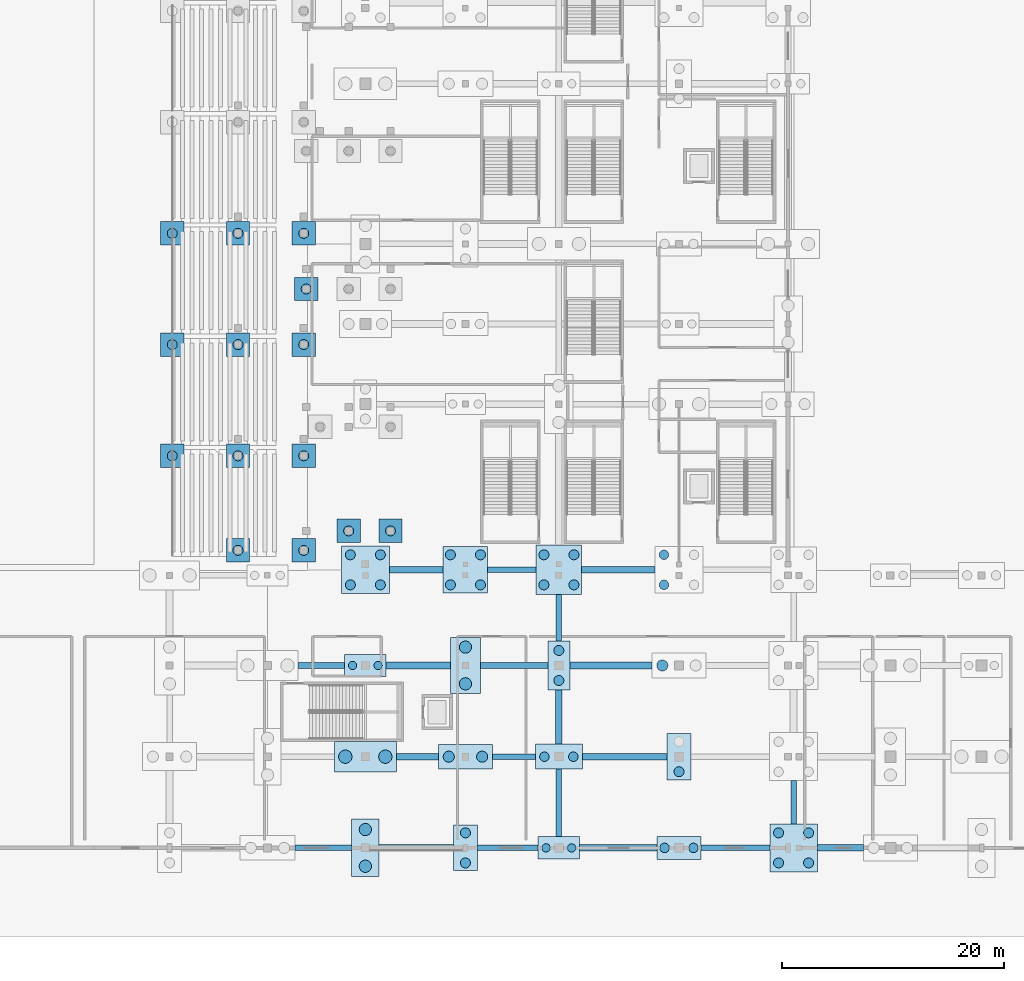
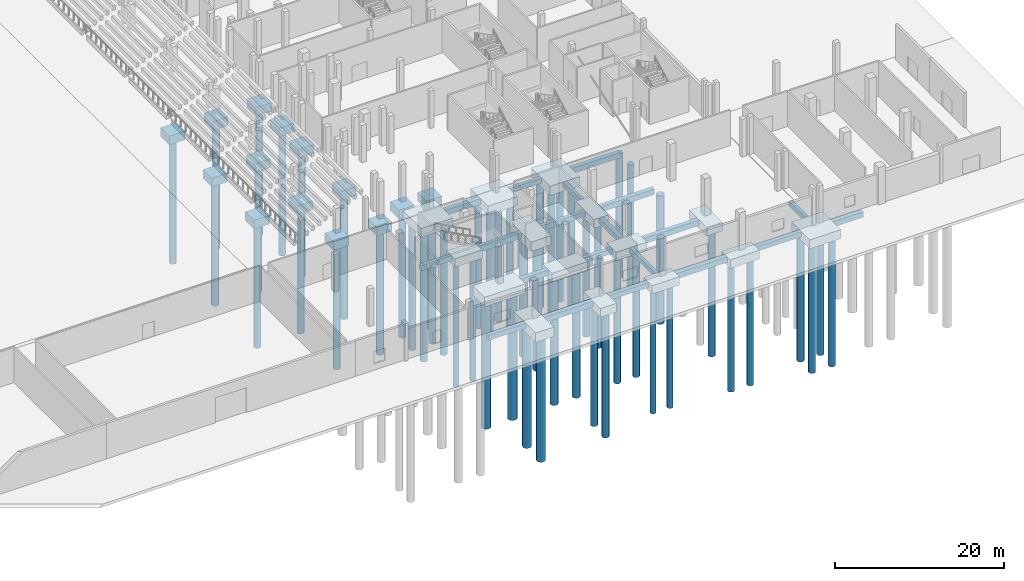
# One storey, part 7 of 89: 54 piles, 49 footings.
"""IFC4 building model written with IfcOpenShell, lengths in metres."""

from ifc_helpers import new_model, si_unit, direction, frame, origin, origin_2d, place, context, subcontext, project, spatial, rectangle, circle, extrude, material, material_profile, profile_set, type_object, element, save


model = new_model("IFC4")

# Units and contexts
model_context = context("Model", 3, precision=1e-05, world=origin(), true_north=direction((0.0, 1.0)))
body_context = subcontext(model_context, "Body", "Model", "MODEL_VIEW")
ifc_project = project(units=[si_unit("LENGTHUNIT", "METRE"), si_unit("AREAUNIT", "SQUARE_METRE"), si_unit("VOLUMEUNIT", "CUBIC_METRE"), si_unit("PLANEANGLEUNIT", "RADIAN"), si_unit("MASSUNIT", "GRAM", prefix="KILO")], contexts=[model_context])

# Site, building, storey
site_placement = place(None, origin())
site = spatial("IfcSite", under=ifc_project, at=site_placement, CompositionType="ELEMENT")
building_placement = place(site_placement, origin())
building = spatial("IfcBuilding", under=site, at=building_placement, Name="Koshinbarg Plaza Stadium", CompositionType="ELEMENT")
storey_placement = place(building_placement, origin())
storey = spatial("IfcBuildingStorey", under=building, at=storey_placement, Name="L00", CompositionType="ELEMENT", Elevation=0.0)

# Footings
ifc_material = material(Name="Concrete C35/45", Category="concrete")
ifc_material_profile_1 = material_profile(ifc_material, rectangle(XDim=0.5, YDim=0.699951171875, at=origin_2d()), Name="GB 500x700")
ifc_profile_set_1 = profile_set([ifc_material_profile_1], Name="Concrete C35/45")
footing_type_1 = type_object("IfcFootingType", Name="FT-GB-01", PredefinedType="FOOTING_BEAM", material=ifc_profile_set_1)
footing_1_placement = place(storey_placement, frame((174.06005859375, 0.0, -0.75), z_axis=(1.0, 0.0, 0.0), x_axis=(0.0, 1.0, 0.0)))
element("IfcFooting", 1, at=footing_1_placement, inside=storey, type_object=footing_type_1, Name="Ground footing beam GB-X-009", PredefinedType="FOOTING_BEAM", context=body_context, shape_type="SweptSolid", body=[
    extrude(rectangle(XDim=0.5, YDim=0.699951171875, at=origin_2d()), origin(), (0.0, 0.0, 1.0), 5.099853515625),
])
footing_2_placement = place(storey_placement, frame((190.47998046875, 0.0, -0.75), z_axis=(1.0, 0.0, 0.0), x_axis=(0.0, 1.0, 0.0)))
element("IfcFooting", 2, at=footing_2_placement, inside=storey, type_object=footing_type_1, Name="Ground footing beam GB-X-011", PredefinedType="FOOTING_BEAM", context=body_context, shape_type="SweptSolid", body=[
    extrude(rectangle(XDim=0.5, YDim=0.699951171875, at=origin_2d()), origin(), (0.0, 0.0, 1.0), 5.449951171875),
])
footing_3_placement = place(storey_placement, frame((210.590087890625, 0.0, -0.75), z_axis=(1.0, 0.0, 0.0), x_axis=(0.0, 1.0, 0.0)))
element("IfcFooting", 3, at=footing_3_placement, inside=storey, type_object=footing_type_1, Name="Ground footing beam GB-X-013", PredefinedType="FOOTING_BEAM", context=body_context, shape_type="SweptSolid", body=[
    extrude(rectangle(XDim=0.5, YDim=0.699951171875, at=origin_2d()), origin(), (0.0, 0.0, 1.0), 6.179931640625),
])
footing_4_placement = place(storey_placement, frame((191.820068359375, 8.199951171875, -0.75), z_axis=(1.0, 0.0, 0.0), x_axis=(0.0, 1.0, 0.0)))
element("IfcFooting", 4, at=footing_4_placement, inside=storey, type_object=footing_type_1, Name="Ground footing beam GB-X-027", PredefinedType="FOOTING_BEAM", context=body_context, shape_type="SweptSolid", body=[
    extrude(rectangle(XDim=0.5, YDim=0.699951171875, at=origin_2d()), origin(), (0.0, 0.0, 1.0), 3.869873046875),
])
footing_5_placement = place(storey_placement, frame((174.340087890625, 16.39990234375, -0.75), z_axis=(1.0, 0.0, 0.0), x_axis=(0.0, 1.0, 0.0)))
element("IfcFooting", 5, at=footing_5_placement, inside=storey, type_object=footing_type_1, Name="Ground footing beam GB-X-041", PredefinedType="FOOTING_BEAM", context=body_context, shape_type="SweptSolid", body=[
    extrude(rectangle(XDim=0.5, YDim=0.699951171875, at=origin_2d()), origin(), (0.0, 0.0, 1.0), 4.18994140625),
])
footing_6_placement = place(storey_placement, frame((190.760009765625, 16.39990234375, -0.75), z_axis=(1.0, 0.0, 0.0), x_axis=(0.0, 1.0, 0.0)))
element("IfcFooting", 6, at=footing_6_placement, inside=storey, type_object=footing_type_1, Name="Ground footing beam GB-X-043", PredefinedType="FOOTING_BEAM", context=body_context, shape_type="SweptSolid", body=[
    extrude(rectangle(XDim=0.5, YDim=0.699951171875, at=origin_2d()), origin(), (0.0, 0.0, 1.0), 6.0400390625),
])
footing_7_placement = place(storey_placement, frame((191.39990234375, 25.0, -0.800048828125), z_axis=(1.0, 0.0, 0.0), x_axis=(0.0, 1.0, 0.0)))
element("IfcFooting", 7, at=footing_7_placement, inside=storey, type_object=footing_type_1, Name="Ground footing beam GB-X-057", PredefinedType="FOOTING_BEAM", context=body_context, shape_type="SweptSolid", body=[
    extrude(rectangle(XDim=0.5, YDim=0.699951171875, at=origin_2d()), origin(), (0.0, 0.0, 1.0), 4.360107421875),
])
footing_8_placement = place(storey_placement, frame((197.800048828125, 1.02001953125, -0.75), z_axis=(0.0, 1.0, 0.0), x_axis=(-1.0, 0.0, 0.0)))
element("IfcFooting", 8, at=footing_8_placement, inside=storey, type_object=footing_type_1, Name="Ground footing beam GB-Y-241", PredefinedType="FOOTING_BEAM", context=body_context, shape_type="SweptSolid", body=[
    extrude(rectangle(XDim=0.5, YDim=0.699951171875, at=origin_2d()), origin(), (0.0, 0.0, 1.0), 6.06005859375),
])
footing_9_placement = place(storey_placement, frame((197.800048828125, 18.610107421875, -0.800048828125), z_axis=(0.0, 1.0, 0.0), x_axis=(-1.0, 0.0, 0.0)))
element("IfcFooting", 9, at=footing_9_placement, inside=storey, type_object=footing_type_1, Name="Ground footing beam GB-Y-243", PredefinedType="FOOTING_BEAM", context=body_context, shape_type="SweptSolid", body=[
    extrude(rectangle(XDim=0.5, YDim=0.699951171875, at=origin_2d()), origin(), (0.0, 0.0, 1.0), 4.179931640625),
])
footing_10_placement = place(storey_placement, frame((218.89990234375, 2.159912109375, -0.75), z_axis=(0.0, 1.0, 0.0), x_axis=(-1.0, 0.0, 0.0)))
element("IfcFooting", 10, at=footing_10_placement, inside=storey, type_object=footing_type_1, Name="Ground footing beam GB-Y-253", PredefinedType="FOOTING_BEAM", context=body_context, shape_type="SweptSolid", body=[
    extrude(rectangle(XDim=0.5, YDim=0.699951171875, at=origin_2d()), origin(), (0.0, 0.0, 1.0), 3.880126953125),
])
ifc_material_profile_2 = material_profile(ifc_material, rectangle(XDim=0.60009765625, YDim=0.800048828125, at=origin_2d()), Name="GB 600x800")
ifc_profile_set_2 = profile_set([ifc_material_profile_2], Name="Concrete C35/45")
footing_type_2 = type_object("IfcFootingType", Name="FT-GB-02", PredefinedType="FOOTING_BEAM", material=ifc_profile_set_2)
footing_11_placement = place(storey_placement, frame((181.639892578125, 0.0, -0.800048828125), z_axis=(1.0, 0.0, 0.0), x_axis=(0.0, 1.0, 0.0)))
element("IfcFooting", 11, at=footing_11_placement, inside=storey, type_object=footing_type_2, Name="Ground footing beam GB-X-010", PredefinedType="FOOTING_BEAM", context=body_context, shape_type="SweptSolid", body=[
    extrude(rectangle(XDim=0.60009765625, YDim=0.800048828125, at=origin_2d()), origin(), (0.0, 0.0, 1.0), 6.68017578125),
])
footing_12_placement = place(storey_placement, frame((199.669921875, 0.0, -0.800048828125), z_axis=(1.0, 0.0, 0.0), x_axis=(0.0, 1.0, 0.0)))
element("IfcFooting", 12, at=footing_12_placement, inside=storey, type_object=footing_type_2, Name="Ground footing beam GB-X-012", PredefinedType="FOOTING_BEAM", context=body_context, shape_type="SweptSolid", body=[
    extrude(rectangle(XDim=0.60009765625, YDim=0.800048828125, at=origin_2d()), origin(), (0.0, 0.0, 1.0), 6.940185546875),
])
footing_13_placement = place(storey_placement, frame((221.030029296875, 0.0, -0.800048828125), z_axis=(1.0, 0.0, 0.0), x_axis=(0.0, 1.0, 0.0)))
element("IfcFooting", 13, at=footing_13_placement, inside=storey, type_object=footing_type_2, Name="Ground footing beam GB-X-014", PredefinedType="FOOTING_BEAM", context=body_context, shape_type="SweptSolid", body=[
    extrude(rectangle(XDim=0.60009765625, YDim=0.800048828125, at=origin_2d()), origin(), (0.0, 0.0, 1.0), 4.14990234375),
])
footing_14_placement = place(storey_placement, frame((183.179931640625, 8.199951171875, -0.800048828125), z_axis=(1.0, 0.0, 0.0), x_axis=(0.0, 1.0, 0.0)))
element("IfcFooting", 14, at=footing_14_placement, inside=storey, type_object=footing_type_2, Name="Ground footing beam GB-X-026", PredefinedType="FOOTING_BEAM", context=body_context, shape_type="SweptSolid", body=[
    extrude(rectangle(XDim=0.60009765625, YDim=0.800048828125, at=origin_2d()), origin(), (0.0, 0.0, 1.0), 3.800048828125),
])
footing_15_placement = place(storey_placement, frame((199.909912109375, 8.199951171875, -0.800048828125), z_axis=(1.0, 0.0, 0.0), x_axis=(0.0, 1.0, 0.0)))
element("IfcFooting", 15, at=footing_15_placement, inside=storey, type_object=footing_type_2, Name="Ground footing beam GB-X-028", PredefinedType="FOOTING_BEAM", context=body_context, shape_type="SweptSolid", body=[
    extrude(rectangle(XDim=0.60009765625, YDim=0.800048828125, at=origin_2d()), origin(), (0.0, 0.0, 1.0), 7.610107421875),
])
footing_16_placement = place(storey_placement, frame((182.27001953125, 16.39990234375, -0.800048828125), z_axis=(1.0, 0.0, 0.0), x_axis=(0.0, 1.0, 0.0)))
element("IfcFooting", 16, at=footing_16_placement, inside=storey, type_object=footing_type_2, Name="Ground footing beam GB-X-042", PredefinedType="FOOTING_BEAM", context=body_context, shape_type="SweptSolid", body=[
    extrude(rectangle(XDim=0.60009765625, YDim=0.800048828125, at=origin_2d()), origin(), (0.0, 0.0, 1.0), 5.77001953125),
])
footing_17_placement = place(storey_placement, frame((198.800048828125, 16.39990234375, -0.800048828125), z_axis=(1.0, 0.0, 0.0), x_axis=(0.0, 1.0, 0.0)))
element("IfcFooting", 17, at=footing_17_placement, inside=storey, type_object=footing_type_2, Name="Ground footing beam GB-X-044", PredefinedType="FOOTING_BEAM", context=body_context, shape_type="SweptSolid", body=[
    extrude(rectangle(XDim=0.60009765625, YDim=0.800048828125, at=origin_2d()), origin(), (0.0, 0.0, 1.0), 7.3798828125),
])
footing_18_placement = place(storey_placement, frame((182.56005859375, 25.0, -0.85009765625), z_axis=(1.0, 0.0, 0.0), x_axis=(0.0, 1.0, 0.0)))
element("IfcFooting", 18, at=footing_18_placement, inside=storey, type_object=footing_type_2, Name="Ground footing beam GB-X-056", PredefinedType="FOOTING_BEAM", context=body_context, shape_type="SweptSolid", body=[
    extrude(rectangle(XDim=0.60009765625, YDim=0.800048828125, at=origin_2d()), origin(), (0.0, 0.0, 1.0), 4.83984375),
])
footing_19_placement = place(storey_placement, frame((199.840087890625, 25.0, -0.85009765625), z_axis=(1.0, 0.0, 0.0), x_axis=(0.0, 1.0, 0.0)))
element("IfcFooting", 19, at=footing_19_placement, inside=storey, type_object=footing_type_2, Name="Ground footing beam GB-X-058", PredefinedType="FOOTING_BEAM", context=body_context, shape_type="SweptSolid", body=[
    extrude(rectangle(XDim=0.60009765625, YDim=0.800048828125, at=origin_2d()), origin(), (0.0, 0.0, 1.0), 6.599853515625),
])
footing_20_placement = place(storey_placement, frame((197.800048828125, 9.320068359375, -0.800048828125), z_axis=(0.0, 1.0, 0.0), x_axis=(-1.0, 0.0, 0.0)))
element("IfcFooting", 20, at=footing_20_placement, inside=storey, type_object=footing_type_2, Name="Ground footing beam GB-Y-242", PredefinedType="FOOTING_BEAM", context=body_context, shape_type="SweptSolid", body=[
    extrude(rectangle(XDim=0.60009765625, YDim=0.800048828125, at=origin_2d()), origin(), (0.0, 0.0, 1.0), 4.869873046875),
])
footing_type_3 = type_object("IfcFootingType", Name="FT-PC-200x442x125", PredefinedType="PILE_CAP", material=ifc_material)
footing_21_placement = place(storey_placement, frame((197.800048828125, 16.39990234375, -1.64990234375), z_axis=(0.0, 0.0, 1.0), x_axis=(1.0, 0.0, 0.0)))
element("IfcFooting", 21, at=footing_21_placement, inside=storey, type_object=footing_type_3, Name="Bored pile cap CAP-171", PredefinedType="PILE_CAP", context=body_context, shape_type="SweptSolid", body=[
    extrude(rectangle(XDim=2.0, YDim=4.419921875, at=origin_2d()), origin(), (0.0, 0.0, 1.0), 1.25),
])
footing_type_4 = type_object("IfcFootingType", Name="FT-PC-210x210x125", PredefinedType="PILE_CAP", material=ifc_material)
for number, where, z_axis, x_axis, name in (
    (22, (168.949951171875, 26.75, -1.699951171875), (0.0, 0.0, 1.0), (1.0, 0.0, 0.0), "Bowl raker pile cap LT-E01-L-M"),
    (23, (174.860107421875, 26.75, -1.699951171875), (0.0, 0.0, 1.0), (1.0, 0.0, 0.0), "Bowl raker pile cap LT-E01-L-B"),
    (24, (163.0400390625, 35.25, -1.699951171875), (0.0, 0.0, 1.0), (1.0, 0.0, 0.0), "Bowl raker pile cap LT-E01-R-F"),
    (25, (168.949951171875, 35.25, -1.699951171875), (0.0, 0.0, 1.0), (1.0, 0.0, 0.0), "Bowl raker pile cap LT-E01-R-M"),
    (26, (174.860107421875, 35.25, -1.699951171875), (0.0, 0.0, 1.0), (1.0, 0.0, 0.0), "Bowl raker pile cap LT-E01-R-B"),
    (27, (163.0400390625, 45.25, -1.699951171875), (0.0, 0.0, 1.0), (1.0, 0.0, 0.0), "Bowl raker pile cap LT-E02-R-F"),
    (28, (168.949951171875, 45.25, -1.699951171875), (0.0, 0.0, 1.0), (1.0, 0.0, 0.0), "Bowl raker pile cap LT-E02-R-M"),
    (29, (174.860107421875, 45.25, -1.699951171875), (0.0, 0.0, 1.0), (1.0, 0.0, 0.0), "Bowl raker pile cap LT-E02-R-B"),
    (30, (163.0400390625, 55.25, -1.699951171875), (0.0, 0.0, 1.0), (1.0, 0.0, 0.0), "Bowl raker pile cap LT-E03-R-F"),
    (31, (168.949951171875, 55.25, -1.699951171875), (0.0, 0.0, 1.0), (1.0, 0.0, 0.0), "Bowl raker pile cap LT-E03-R-M"),
    (32, (174.860107421875, 55.25, -1.699951171875), (0.0, 0.0, 1.0), (1.0, 0.0, 0.0), "Bowl raker pile cap LT-E03-R-B"),
    (33, (178.89990234375, 28.5, -1.699951171875), (0.0, 0.0, 1.0), (1.0, 0.0, 0.0), "Bowl raker pile cap UT-E01-L-CM"),
    (34, (182.659912109375, 28.5, -1.699951171875), (0.0, 0.0, 1.0), (1.0, 0.0, 0.0), "Bowl raker pile cap UT-E01-L-CB"),
    (35, (175.080078125, 50.25, -1.699951171875), (0.0, 0.0, 1.0), (1.0, 0.0, 0.0), "Bowl raker pile cap UT-E02-R-CF"),
):
    element("IfcFooting", number, at=place(storey_placement, frame(where, z_axis=z_axis, x_axis=x_axis)), inside=storey, type_object=footing_type_4, Name=name, PredefinedType="PILE_CAP", context=body_context, shape_type="SweptSolid", body=[
        extrude(rectangle(XDim=2.10009765625, YDim=2.10009765625, at=origin_2d()), origin(), (0.0, 0.0, 1.0), 1.25),
    ])
footing_type_5 = type_object("IfcFootingType", Name="FT-PC-216x410x125", PredefinedType="PILE_CAP", material=ifc_material)
footing_22_placement = place(storey_placement, frame((189.39990234375, 0.0, -1.64990234375), z_axis=(0.0, 0.0, 1.0), x_axis=(1.0, 0.0, 0.0)))
element("IfcFooting", 36, at=footing_22_placement, inside=storey, type_object=footing_type_5, Name="Bored pile cap CAP-153", PredefinedType="PILE_CAP", context=body_context, shape_type="SweptSolid", body=[
    extrude(rectangle(XDim=2.159912109375, YDim=4.10009765625, at=origin_2d()), origin(), (0.0, 0.0, 1.0), 1.25),
])
footing_type_6 = type_object("IfcFootingType", Name="FT-PC-216x418x125", PredefinedType="PILE_CAP", material=ifc_material)
footing_23_placement = place(storey_placement, frame((208.60009765625, 8.199951171875, -1.64990234375), z_axis=(0.0, 0.0, 1.0), x_axis=(1.0, 0.0, 0.0)))
element("IfcFooting", 37, at=footing_23_placement, inside=storey, type_object=footing_type_6, Name="Bored pile cap CAP-183", PredefinedType="PILE_CAP", context=body_context, shape_type="SweptSolid", body=[
    extrude(rectangle(XDim=2.159912109375, YDim=4.179931640625, at=origin_2d()), origin(), (0.0, 0.0, 1.0), 1.25),
])
footing_type_7 = type_object("IfcFootingType", Name="FT-PC-248x516x135", PredefinedType="PILE_CAP", material=ifc_material)
footing_24_placement = place(storey_placement, frame((180.39990234375, 0.0, -1.75), z_axis=(0.0, 0.0, 1.0), x_axis=(1.0, 0.0, 0.0)))
element("IfcFooting", 38, at=footing_24_placement, inside=storey, type_object=footing_type_7, Name="Bored pile cap CAP-137", PredefinedType="PILE_CAP", context=body_context, shape_type="SweptSolid", body=[
    extrude(rectangle(XDim=2.47998046875, YDim=5.159912109375, at=origin_2d()), origin(), (0.0, 0.0, 1.0), 1.35009765625),
])
footing_type_8 = type_object("IfcFootingType", Name="FT-PC-272x500x135", PredefinedType="PILE_CAP", material=ifc_material)
footing_25_placement = place(storey_placement, frame((189.39990234375, 16.39990234375, -1.75), z_axis=(0.0, 0.0, 1.0), x_axis=(1.0, 0.0, 0.0)))
element("IfcFooting", 39, at=footing_25_placement, inside=storey, type_object=footing_type_8, Name="Bored pile cap CAP-155", PredefinedType="PILE_CAP", context=body_context, shape_type="SweptSolid", body=[
    extrude(rectangle(XDim=2.719970703125, YDim=5.0, at=origin_2d()), origin(), (0.0, 0.0, 1.0), 1.35009765625),
])
footing_type_9 = type_object("IfcFootingType", Name="FT-PC-374x196x120", PredefinedType="PILE_CAP", material=ifc_material)
footing_26_placement = place(storey_placement, frame((180.39990234375, 16.39990234375, -1.60009765625), z_axis=(0.0, 0.0, 1.0), x_axis=(1.0, 0.0, 0.0)))
element("IfcFooting", 40, at=footing_26_placement, inside=storey, type_object=footing_type_9, Name="Bored pile cap CAP-139", PredefinedType="PILE_CAP", context=body_context, shape_type="SweptSolid", body=[
    extrude(rectangle(XDim=3.739990234375, YDim=1.9599609375, at=origin_2d()), origin(), (0.0, 0.0, 1.0), 1.199951171875),
])
footing_type_10 = type_object("IfcFootingType", Name="FT-PC-374x204x120", PredefinedType="PILE_CAP", material=ifc_material)
footing_27_placement = place(storey_placement, frame((197.800048828125, 0.0, -1.60009765625), z_axis=(0.0, 0.0, 1.0), x_axis=(1.0, 0.0, 0.0)))
element("IfcFooting", 41, at=footing_27_placement, inside=storey, type_object=footing_type_10, Name="Bored pile cap CAP-169", PredefinedType="PILE_CAP", context=body_context, shape_type="SweptSolid", body=[
    extrude(rectangle(XDim=3.739990234375, YDim=2.0400390625, at=origin_2d()), origin(), (0.0, 0.0, 1.0), 1.199951171875),
])
footing_type_11 = type_object("IfcFootingType", Name="FT-PC-398x208x125", PredefinedType="PILE_CAP", material=ifc_material)
footing_28_placement = place(storey_placement, frame((208.60009765625, 0.0, -1.64990234375), z_axis=(0.0, 0.0, 1.0), x_axis=(1.0, 0.0, 0.0)))
element("IfcFooting", 42, at=footing_28_placement, inside=storey, type_object=footing_type_11, Name="Bored pile cap CAP-182", PredefinedType="PILE_CAP", context=body_context, shape_type="SweptSolid", body=[
    extrude(rectangle(XDim=3.97998046875, YDim=2.080078125, at=origin_2d()), origin(), (0.0, 0.0, 1.0), 1.25),
])
footing_type_12 = type_object("IfcFootingType", Name="FT-PC-400x418x130", PredefinedType="PILE_CAP", material=ifc_material)
footing_29_placement = place(storey_placement, frame((189.39990234375, 25.0, -1.75), z_axis=(0.0, 0.0, 1.0), x_axis=(1.0, 0.0, 0.0)))
element("IfcFooting", 43, at=footing_29_placement, inside=storey, type_object=footing_type_12, Name="Bored pile cap CAP-156", PredefinedType="PILE_CAP", context=body_context, shape_type="SweptSolid", body=[
    extrude(rectangle(XDim=4.0, YDim=4.179931640625, at=origin_2d()), origin(), (0.0, 0.0, 1.0), 1.300048828125),
])
footing_type_13 = type_object("IfcFootingType", Name="FT-PC-408x442x135", PredefinedType="PILE_CAP", material=ifc_material)
footing_30_placement = place(storey_placement, frame((197.800048828125, 25.0, -1.800048828125), z_axis=(0.0, 0.0, 1.0), x_axis=(1.0, 0.0, 0.0)))
element("IfcFooting", 44, at=footing_30_placement, inside=storey, type_object=footing_type_13, Name="Bored pile cap CAP-172", PredefinedType="PILE_CAP", context=body_context, shape_type="SweptSolid", body=[
    extrude(rectangle(XDim=4.080078125, YDim=4.419921875, at=origin_2d()), origin(), (0.0, 0.0, 1.0), 1.35009765625),
])
footing_type_14 = type_object("IfcFootingType", Name="FT-PC-422x224x125", PredefinedType="PILE_CAP", material=ifc_material)
footing_31_placement = place(storey_placement, frame((197.800048828125, 8.199951171875, -1.64990234375), z_axis=(0.0, 0.0, 1.0), x_axis=(1.0, 0.0, 0.0)))
element("IfcFooting", 45, at=footing_31_placement, inside=storey, type_object=footing_type_14, Name="Bored pile cap CAP-170", PredefinedType="PILE_CAP", context=body_context, shape_type="SweptSolid", body=[
    extrude(rectangle(XDim=4.219970703125, YDim=2.239990234375, at=origin_2d()), origin(), (0.0, 0.0, 1.0), 1.25),
])
footing_type_15 = type_object("IfcFootingType", Name="FT-PC-426x432x130", PredefinedType="PILE_CAP", material=ifc_material)
footing_32_placement = place(storey_placement, frame((218.89990234375, 0.0, -1.7001953125), z_axis=(0.0, 0.0, 1.0), x_axis=(1.0, 0.0, 0.0)))
element("IfcFooting", 46, at=footing_32_placement, inside=storey, type_object=footing_type_15, Name="Bored pile cap CAP-198", PredefinedType="PILE_CAP", context=body_context, shape_type="SweptSolid", body=[
    extrude(rectangle(XDim=4.260009765625, YDim=4.320068359375, at=origin_2d()), origin(), (0.0, 0.0, 1.0), 1.300048828125),
])
footing_type_16 = type_object("IfcFootingType", Name="FT-PC-432x426x130", PredefinedType="PILE_CAP", material=ifc_material)
footing_33_placement = place(storey_placement, frame((180.39990234375, 25.0, -1.75), z_axis=(0.0, 0.0, 1.0), x_axis=(1.0, 0.0, 0.0)))
element("IfcFooting", 47, at=footing_33_placement, inside=storey, type_object=footing_type_16, Name="Bored pile cap CAP-140", PredefinedType="PILE_CAP", context=body_context, shape_type="SweptSolid", body=[
    extrude(rectangle(XDim=4.320068359375, YDim=4.260009765625, at=origin_2d()), origin(), (0.0, 0.0, 1.0), 1.300048828125),
])
footing_type_17 = type_object("IfcFootingType", Name="FT-PC-484x220x130", PredefinedType="PILE_CAP", material=ifc_material)
footing_34_placement = place(storey_placement, frame((189.39990234375, 8.199951171875, -1.7001953125), z_axis=(0.0, 0.0, 1.0), x_axis=(1.0, 0.0, 0.0)))
element("IfcFooting", 48, at=footing_34_placement, inside=storey, type_object=footing_type_17, Name="Bored pile cap CAP-154", PredefinedType="PILE_CAP", context=body_context, shape_type="SweptSolid", body=[
    extrude(rectangle(XDim=4.840087890625, YDim=2.199951171875, at=origin_2d()), origin(), (0.0, 0.0, 1.0), 1.300048828125),
])
footing_type_18 = type_object("IfcFootingType", Name="FT-PC-556x276x140", PredefinedType="PILE_CAP", material=ifc_material)
footing_35_placement = place(storey_placement, frame((180.39990234375, 8.199951171875, -1.800048828125), z_axis=(0.0, 0.0, 1.0), x_axis=(1.0, 0.0, 0.0)))
element("IfcFooting", 49, at=footing_35_placement, inside=storey, type_object=footing_type_18, Name="Bored pile cap CAP-138", PredefinedType="PILE_CAP", context=body_context, shape_type="SweptSolid", body=[
    extrude(rectangle(XDim=5.56005859375, YDim=2.760009765625, at=origin_2d()), origin(), (0.0, 0.0, 1.0), 1.39990234375),
])

# Piles
ifc_material_profile_3 = material_profile(ifc_material, circle(Radius=0.5, at=origin_2d()), Name="PILE D1000")
ifc_profile_set_3 = profile_set([ifc_material_profile_3], Name="Concrete C35/45")
pile_type_1 = type_object("IfcPileType", Name="PL-D1000", PredefinedType="BORED", material=ifc_profile_set_3)
for number, where, z_axis, x_axis, name in (
    (50, (187.89990234375, 8.199951171875, -1.60009765625), (0.0, 0.0, -1.0), (1.0, 0.0, 0.0), "Bored pile CAP-154-1"),
    (51, (190.89990234375, 8.199951171875, -1.60009765625), (0.0, 0.0, -1.0), (1.0, 0.0, 0.0), "Bored pile CAP-154-2"),
    (52, (207.10009765625, 16.39990234375, -1.60009765625), (0.0, 0.0, -1.0), (1.0, 0.0, 0.0), "Bored pile CAP-184-1"),
):
    element("IfcPile", number, at=place(storey_placement, frame(where, z_axis=z_axis, x_axis=x_axis)), inside=storey, type_object=pile_type_1, Name=name, PredefinedType="BORED", context=body_context, shape_type="SweptSolid", body=[
        extrude(circle(Radius=0.5, at=origin_2d()), origin(), (0.0, 0.0, 1.0), 18.5),
    ])
ifc_material_profile_4 = material_profile(ifc_material, circle(Radius=0.550048828125, at=origin_2d()), Name="PILE D1100")
ifc_profile_set_4 = profile_set([ifc_material_profile_4], Name="Concrete C35/45")
pile_type_2 = type_object("IfcPileType", Name="PL-D1100", PredefinedType="BORED", material=ifc_profile_set_4)
for number, where, z_axis, x_axis, name in (
    (53, (180.39990234375, -1.64990234375, -1.64990234375), (0.0, 0.0, -1.0), (1.0, 0.0, 0.0), "Bored pile CAP-137-1"),
    (54, (180.39990234375, 1.64990234375, -1.64990234375), (0.0, 0.0, -1.0), (1.0, 0.0, 0.0), "Bored pile CAP-137-2"),
    (55, (189.39990234375, 14.75, -1.64990234375), (0.0, 0.0, -1.0), (1.0, 0.0, 0.0), "Bored pile CAP-155-1"),
    (56, (189.39990234375, 18.050048828125, -1.64990234375), (0.0, 0.0, -1.0), (1.0, 0.0, 0.0), "Bored pile CAP-155-2"),
):
    element("IfcPile", number, at=place(storey_placement, frame(where, z_axis=z_axis, x_axis=x_axis)), inside=storey, type_object=pile_type_2, Name=name, PredefinedType="BORED", context=body_context, shape_type="SweptSolid", body=[
        extrude(circle(Radius=0.550048828125, at=origin_2d()), origin(), (0.0, 0.0, 1.0), 18.0),
    ])
ifc_material_profile_5 = material_profile(ifc_material, circle(Radius=0.60009765625, at=origin_2d()), Name="PILE D1200")
ifc_profile_set_5 = profile_set([ifc_material_profile_5], Name="Concrete C35/45")
pile_type_3 = type_object("IfcPileType", Name="PL-D1200", PredefinedType="BORED", material=ifc_profile_set_5)
for number, where, z_axis, x_axis, name in (
    (57, (178.60009765625, 8.199951171875, -1.699951171875), (0.0, 0.0, -1.0), (1.0, 0.0, 0.0), "Bored pile CAP-138-1"),
    (58, (182.199951171875, 8.199951171875, -1.699951171875), (0.0, 0.0, -1.0), (1.0, 0.0, 0.0), "Bored pile CAP-138-2"),
):
    element("IfcPile", number, at=place(storey_placement, frame(where, z_axis=z_axis, x_axis=x_axis)), inside=storey, type_object=pile_type_3, Name=name, PredefinedType="BORED", context=body_context, shape_type="SweptSolid", body=[
        extrude(circle(Radius=0.60009765625, at=origin_2d()), origin(), (0.0, 0.0, 1.0), 18.5),
    ])
ifc_material_profile_6 = material_profile(ifc_material, circle(Radius=0.375, at=origin_2d()), Name="PILE D750")
ifc_profile_set_6 = profile_set([ifc_material_profile_6], Name="Concrete C35/45")
pile_type_4 = type_object("IfcPileType", Name="PL-D750", PredefinedType="BORED", material=ifc_profile_set_6)
for number, where, z_axis, x_axis, name in (
    (59, (179.25, 16.39990234375, -1.5), (0.0, 0.0, -1.0), (1.0, 0.0, 0.0), "Bored pile CAP-139-1"),
    (60, (181.550048828125, 16.39990234375, -1.5), (0.0, 0.0, -1.0), (1.0, 0.0, 0.0), "Bored pile CAP-139-2"),
    (61, (196.64990234375, 0.0, -1.5), (0.0, 0.0, -1.0), (1.0, 0.0, 0.0), "Bored pile CAP-169-1"),
    (62, (198.949951171875, 0.0, -1.5), (0.0, 0.0, -1.0), (1.0, 0.0, 0.0), "Bored pile CAP-169-2"),
):
    element("IfcPile", number, at=place(storey_placement, frame(where, z_axis=z_axis, x_axis=x_axis)), inside=storey, type_object=pile_type_4, Name=name, PredefinedType="BORED", context=body_context, shape_type="SweptSolid", body=[
        extrude(circle(Radius=0.375, at=origin_2d()), origin(), (0.0, 0.0, 1.0), 18.0),
    ])
ifc_material_profile_7 = material_profile(ifc_material, circle(Radius=0.425048828125, at=origin_2d()), Name="PILE D850")
ifc_profile_set_7 = profile_set([ifc_material_profile_7], Name="Concrete C35/45")
pile_type_5 = type_object("IfcPileType", Name="PL-D850", PredefinedType="BORED", material=ifc_profile_set_7)
for number, where, z_axis, x_axis, name in (
    (63, (196.5, 8.199951171875, -1.550048828125), (0.0, 0.0, -1.0), (1.0, 0.0, 0.0), "Bored pile CAP-170-1"),
    (64, (199.10009765625, 8.199951171875, -1.550048828125), (0.0, 0.0, -1.0), (1.0, 0.0, 0.0), "Bored pile CAP-170-2"),
    (65, (207.300048828125, 0.0, -1.550048828125), (0.0, 0.0, -1.0), (1.0, 0.0, 0.0), "Bored pile CAP-182-1"),
    (66, (209.89990234375, 0.0, -1.550048828125), (0.0, 0.0, -1.0), (1.0, 0.0, 0.0), "Bored pile CAP-182-2"),
):
    element("IfcPile", number, at=place(storey_placement, frame(where, z_axis=z_axis, x_axis=x_axis)), inside=storey, type_object=pile_type_5, Name=name, PredefinedType="BORED", context=body_context, shape_type="SweptSolid", body=[
        extrude(circle(Radius=0.425048828125, at=origin_2d()), origin(), (0.0, 0.0, 1.0), 18.5),
    ])
for number, where, z_axis, x_axis, name in (
    (67, (207.25, 23.64990234375, -1.64990234375), (0.0, 0.0, -1.0), (1.0, 0.0, 0.0), "Bored pile CAP-185-1"),
    (68, (207.25, 26.35009765625, -1.64990234375), (0.0, 0.0, -1.0), (1.0, 0.0, 0.0), "Bored pile CAP-185-3"),
):
    element("IfcPile", number, at=place(storey_placement, frame(where, z_axis=z_axis, x_axis=x_axis)), inside=storey, type_object=pile_type_5, Name=name, PredefinedType="BORED", context=body_context, shape_type="SweptSolid", body=[
        extrude(circle(Radius=0.425048828125, at=origin_2d()), origin(), (0.0, 0.0, 1.0), 18.0),
    ])
ifc_material_profile_8 = material_profile(ifc_material, circle(Radius=0.449951171875, at=origin_2d()), Name="PILE D900")
ifc_profile_set_8 = profile_set([ifc_material_profile_8], Name="Concrete C35/45")
pile_type_6 = type_object("IfcPileType", Name="PL-D900", PredefinedType="BORED", material=ifc_profile_set_8)
for number, where, z_axis, x_axis, name in (
    (69, (179.050048828125, 23.64990234375, -1.64990234375), (0.0, 0.0, -1.0), (1.0, 0.0, 0.0), "Bored pile CAP-140-1"),
    (70, (181.75, 23.64990234375, -1.64990234375), (0.0, 0.0, -1.0), (1.0, 0.0, 0.0), "Bored pile CAP-140-2"),
    (71, (179.050048828125, 26.35009765625, -1.64990234375), (0.0, 0.0, -1.0), (1.0, 0.0, 0.0), "Bored pile CAP-140-3"),
    (72, (181.75, 26.35009765625, -1.64990234375), (0.0, 0.0, -1.0), (1.0, 0.0, 0.0), "Bored pile CAP-140-4"),
):
    element("IfcPile", number, at=place(storey_placement, frame(where, z_axis=z_axis, x_axis=x_axis)), inside=storey, type_object=pile_type_6, Name=name, PredefinedType="BORED", context=body_context, shape_type="SweptSolid", body=[
        extrude(circle(Radius=0.449951171875, at=origin_2d()), origin(), (0.0, 0.0, 1.0), 18.5),
    ])
for number, where, z_axis, x_axis, name in (
    (73, (189.39990234375, -1.35009765625, -1.550048828125), (0.0, 0.0, -1.0), (1.0, 0.0, 0.0), "Bored pile CAP-153-1"),
    (74, (189.39990234375, 1.35009765625, -1.550048828125), (0.0, 0.0, -1.0), (1.0, 0.0, 0.0), "Bored pile CAP-153-2"),
):
    element("IfcPile", number, at=place(storey_placement, frame(where, z_axis=z_axis, x_axis=x_axis)), inside=storey, type_object=pile_type_6, Name=name, PredefinedType="BORED", context=body_context, shape_type="SweptSolid", body=[
        extrude(circle(Radius=0.449951171875, at=origin_2d()), origin(), (0.0, 0.0, 1.0), 18.0),
    ])
for number, where, z_axis, x_axis, name in (
    (75, (188.050048828125, 23.64990234375, -1.64990234375), (0.0, 0.0, -1.0), (1.0, 0.0, 0.0), "Bored pile CAP-156-1"),
    (76, (190.75, 23.64990234375, -1.64990234375), (0.0, 0.0, -1.0), (1.0, 0.0, 0.0), "Bored pile CAP-156-2"),
    (77, (188.050048828125, 26.35009765625, -1.64990234375), (0.0, 0.0, -1.0), (1.0, 0.0, 0.0), "Bored pile CAP-156-3"),
    (78, (190.75, 26.35009765625, -1.64990234375), (0.0, 0.0, -1.0), (1.0, 0.0, 0.0), "Bored pile CAP-156-4"),
):
    element("IfcPile", number, at=place(storey_placement, frame(where, z_axis=z_axis, x_axis=x_axis)), inside=storey, type_object=pile_type_6, Name=name, PredefinedType="BORED", context=body_context, shape_type="SweptSolid", body=[
        extrude(circle(Radius=0.449951171875, at=origin_2d()), origin(), (0.0, 0.0, 1.0), 18.5),
    ])
for number, where, z_axis, x_axis, name in (
    (79, (197.800048828125, 15.050048828125, -1.550048828125), (0.0, 0.0, -1.0), (1.0, 0.0, 0.0), "Bored pile CAP-171-1"),
    (80, (197.800048828125, 17.75, -1.550048828125), (0.0, 0.0, -1.0), (1.0, 0.0, 0.0), "Bored pile CAP-171-2"),
):
    element("IfcPile", number, at=place(storey_placement, frame(where, z_axis=z_axis, x_axis=x_axis)), inside=storey, type_object=pile_type_6, Name=name, PredefinedType="BORED", context=body_context, shape_type="SweptSolid", body=[
        extrude(circle(Radius=0.449951171875, at=origin_2d()), origin(), (0.0, 0.0, 1.0), 18.0),
    ])
for number, where, z_axis, x_axis, name in (
    (81, (196.449951171875, 23.64990234375, -1.699951171875), (0.0, 0.0, -1.0), (1.0, 0.0, 0.0), "Bored pile CAP-172-1"),
    (82, (199.14990234375, 23.64990234375, -1.699951171875), (0.0, 0.0, -1.0), (1.0, 0.0, 0.0), "Bored pile CAP-172-2"),
    (83, (196.449951171875, 26.35009765625, -1.699951171875), (0.0, 0.0, -1.0), (1.0, 0.0, 0.0), "Bored pile CAP-172-3"),
    (84, (199.14990234375, 26.35009765625, -1.699951171875), (0.0, 0.0, -1.0), (1.0, 0.0, 0.0), "Bored pile CAP-172-4"),
):
    element("IfcPile", number, at=place(storey_placement, frame(where, z_axis=z_axis, x_axis=x_axis)), inside=storey, type_object=pile_type_6, Name=name, PredefinedType="BORED", context=body_context, shape_type="SweptSolid", body=[
        extrude(circle(Radius=0.449951171875, at=origin_2d()), origin(), (0.0, 0.0, 1.0), 18.5),
    ])
pile_placement = place(storey_placement, frame((208.60009765625, 6.85009765625, -1.550048828125), z_axis=(0.0, 0.0, -1.0), x_axis=(1.0, 0.0, 0.0)))
element("IfcPile", 85, at=pile_placement, inside=storey, type_object=pile_type_6, Name="Bored pile CAP-183-1", PredefinedType="BORED", context=body_context, shape_type="SweptSolid", body=[
    extrude(circle(Radius=0.449951171875, at=origin_2d()), origin(), (0.0, 0.0, 1.0), 18.0),
])
for number, where, z_axis, x_axis, name in (
    (86, (217.550048828125, -1.35009765625, -1.60009765625), (0.0, 0.0, -1.0), (1.0, 0.0, 0.0), "Bored pile CAP-198-1"),
    (87, (220.25, -1.35009765625, -1.60009765625), (0.0, 0.0, -1.0), (1.0, 0.0, 0.0), "Bored pile CAP-198-2"),
    (88, (217.550048828125, 1.35009765625, -1.60009765625), (0.0, 0.0, -1.0), (1.0, 0.0, 0.0), "Bored pile CAP-198-3"),
    (89, (220.25, 1.35009765625, -1.60009765625), (0.0, 0.0, -1.0), (1.0, 0.0, 0.0), "Bored pile CAP-198-4"),
):
    element("IfcPile", number, at=place(storey_placement, frame(where, z_axis=z_axis, x_axis=x_axis)), inside=storey, type_object=pile_type_6, Name=name, PredefinedType="BORED", context=body_context, shape_type="SweptSolid", body=[
        extrude(circle(Radius=0.449951171875, at=origin_2d()), origin(), (0.0, 0.0, 1.0), 18.5),
    ])
for number, where, z_axis, x_axis, name in (
    (90, (168.949951171875, 26.75, -1.60009765625), (0.0, 0.0, -1.0), (1.0, 0.0, 0.0), "Bowl raker bored pile LT-E01-L-M"),
    (91, (174.860107421875, 26.75, -1.60009765625), (0.0, 0.0, -1.0), (1.0, 0.0, 0.0), "Bowl raker bored pile LT-E01-L-B"),
    (92, (163.0400390625, 35.25, -1.60009765625), (0.0, 0.0, -1.0), (1.0, 0.0, 0.0), "Bowl raker bored pile LT-E01-R-F"),
    (93, (168.949951171875, 35.25, -1.60009765625), (0.0, 0.0, -1.0), (1.0, 0.0, 0.0), "Bowl raker bored pile LT-E01-R-M"),
    (94, (174.860107421875, 35.25, -1.60009765625), (0.0, 0.0, -1.0), (1.0, 0.0, 0.0), "Bowl raker bored pile LT-E01-R-B"),
    (95, (163.0400390625, 45.25, -1.60009765625), (0.0, 0.0, -1.0), (1.0, 0.0, 0.0), "Bowl raker bored pile LT-E02-R-F"),
    (96, (168.949951171875, 45.25, -1.60009765625), (0.0, 0.0, -1.0), (1.0, 0.0, 0.0), "Bowl raker bored pile LT-E02-R-M"),
    (97, (174.860107421875, 45.25, -1.60009765625), (0.0, 0.0, -1.0), (1.0, 0.0, 0.0), "Bowl raker bored pile LT-E02-R-B"),
    (98, (163.0400390625, 55.25, -1.60009765625), (0.0, 0.0, -1.0), (1.0, 0.0, 0.0), "Bowl raker bored pile LT-E03-R-F"),
    (99, (168.949951171875, 55.25, -1.60009765625), (0.0, 0.0, -1.0), (1.0, 0.0, 0.0), "Bowl raker bored pile LT-E03-R-M"),
    (100, (174.860107421875, 55.25, -1.60009765625), (0.0, 0.0, -1.0), (1.0, 0.0, 0.0), "Bowl raker bored pile LT-E03-R-B"),
    (101, (178.89990234375, 28.5, -1.60009765625), (0.0, 0.0, -1.0), (1.0, 0.0, 0.0), "Bowl raker bored pile UT-E01-L-CM"),
    (102, (182.659912109375, 28.5, -1.60009765625), (0.0, 0.0, -1.0), (1.0, 0.0, 0.0), "Bowl raker bored pile UT-E01-L-CB"),
    (103, (175.080078125, 50.25, -1.60009765625), (0.0, 0.0, -1.0), (1.0, 0.0, 0.0), "Bowl raker bored pile UT-E02-R-CF"),
):
    element("IfcPile", number, at=place(storey_placement, frame(where, z_axis=z_axis, x_axis=x_axis)), inside=storey, type_object=pile_type_6, Name=name, PredefinedType="BORED", context=body_context, shape_type="SweptSolid", body=[
        extrude(circle(Radius=0.449951171875, at=origin_2d()), origin(), (0.0, 0.0, 1.0), 18.0),
    ])

save(model, "model.ifc")
